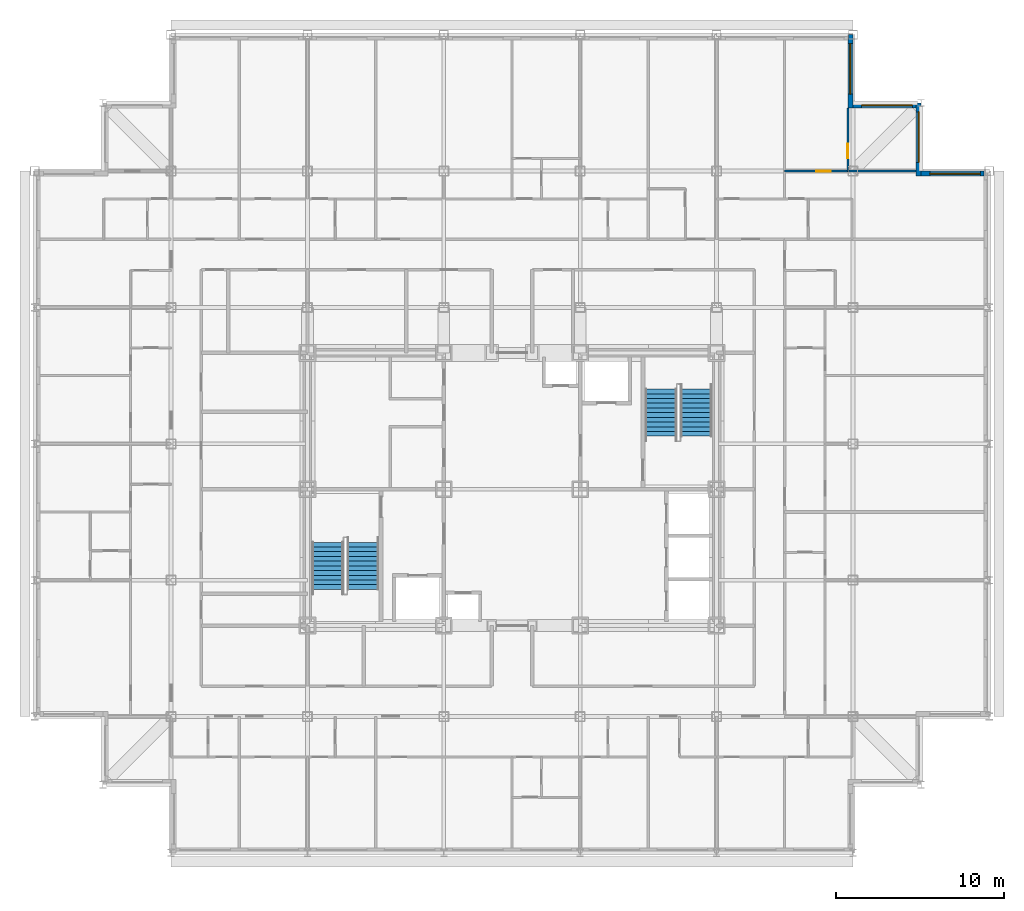
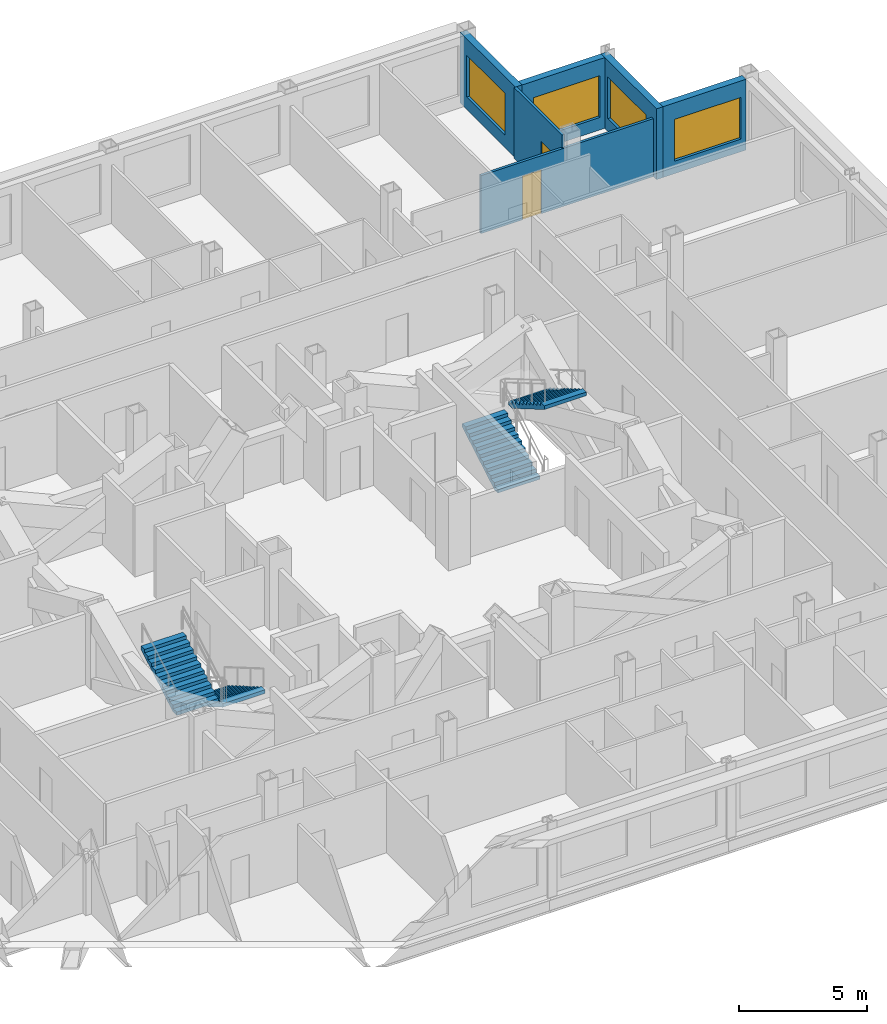
# One storey, part 11 of 12: 6 walls, 4 stair flights, 4 windows, 2 doors, 6 openings, 2 elements without a shape of their own.
"""IFC4 building model written with IfcOpenShell, lengths in metres."""

from ifc_helpers import new_model, si_unit, direction, frame, frame_2d, origin, place, context, subcontext, project, spatial, rectangle, extrude, polygons, source, transform, mapped, material, layer, layer_set, type_object, element, fill, aggregate, save


model = new_model("IFC4")

# Units and contexts
model_context = context("Model", 3, precision=1e-05, world=origin(), true_north=direction((0.0, 1.0)))
body_context = subcontext(model_context, "Body", "Model", "MODEL_VIEW")
ifc_project = project(units=[si_unit("LENGTHUNIT", "METRE"), si_unit("AREAUNIT", "SQUARE_METRE"), si_unit("VOLUMEUNIT", "CUBIC_METRE"), si_unit("PLANEANGLEUNIT", "RADIAN"), si_unit("MASSUNIT", "GRAM", prefix="KILO")], contexts=[model_context])

# Site, building, storey
site_placement = place(None, origin())
site = spatial("IfcSite", under=ifc_project, at=site_placement, CompositionType="ELEMENT")
building_placement = place(site_placement, origin())
building = spatial("IfcBuilding", under=site, at=building_placement, Name="Kopane Lantern Tower", CompositionType="ELEMENT")
storey_placement = place(building_placement, frame((0.0, 0.0, 206.39990234375)))
storey = spatial("IfcBuildingStorey", under=building, at=storey_placement, Name="L53", CompositionType="ELEMENT", Elevation=206.39990234375)

# Wall, opening, door
ifc_material_1 = material(Name="Gypsum board on steel studs", Category="steel")
ifc_layer_1 = layer(ifc_material_1, 0.1201171875)
ifc_layer_set_1 = layer_set([ifc_layer_1], Name="APARTMENT INTERNAL WALL 120")
wall_type_1 = type_object("IfcWallType", Name="APARTMENT INTERNAL WALL 120", PredefinedType="PARTITIONING", material=ifc_layer_set_1)
wall_1_placement = place(storey_placement, frame((44.550048828125, 51.300048828125, 0.0), z_axis=(0.0, 0.0, 1.0), x_axis=(1.0, 0.0, 0.0)))
wall_1 = element("IfcWall", 1, at=wall_1_placement, inside=storey, type_object=wall_type_1, Name="Apartment Internal Wall 120 L53", PredefinedType="PARTITIONING", context=body_context, shape_type="SweptSolid", body=[
    extrude(rectangle(XDim=7.800048828125, YDim=0.1201171875, at=frame_2d((3.89990234375, 0.0))), origin(), (0.0, 0.0, 1.0), 2.77783203125),
])
opening_1_placement = place(wall_1_placement, frame((1.875, 0.0, 0.0)))
opening_1 = element("IfcOpeningElement", 2, at=opening_1_placement, cuts=wall_1, Name="Opening L53-074", PredefinedType="OPENING", context=body_context, shape_type="SweptSolid", body=[
    extrude(rectangle(XDim=0.85009765625, YDim=2.10009765625, at=frame_2d((0.425048828125, 1.050048828125))), frame((0.0, 0.070068359375, 0.0), z_axis=(0.0, -1.0, 0.0), x_axis=(1.0, 0.0, 0.0)), (0.0, 0.0, 1.0), 0.14013671875),
])
ifc_material_2 = material(Name="Timber door set", Category="wood")
door_type = type_object("IfcDoorType", Name="DOOR D4 850x2100", OperationType="SINGLE_SWING_LEFT", PredefinedType="DOOR", material=ifc_material_2)
door_1_placement = place(opening_1_placement, origin())
door_1 = element("IfcDoor", 3, at=door_1_placement, inside=storey, type_object=door_type, Name="Door L53-074", OperationType="SINGLE_SWING_RIGHT", OverallHeight=2.10009765625, OverallWidth=0.85009765625, PredefinedType="DOOR", context=body_context, shape_type="SweptSolid", body=[
    extrude(rectangle(XDim=0.85009765625, YDim=2.10009765625, at=frame_2d((0.425048828125, 1.050048828125))), frame((0.0, 0.02490234375, 0.0), z_axis=(0.0, -1.0, 0.0), x_axis=(1.0, 0.0, 0.0)), (0.0, 0.0, 1.0), 0.050048828125),
])
fill(opening_1, door_1)

wall_2_placement = place(storey_placement, frame((48.300048828125, 51.300048828125, 0.0), z_axis=(0.0, 0.0, 1.0), x_axis=(0.0, 1.0, 0.0)))
wall_2 = element("IfcWall", 4, at=wall_2_placement, inside=storey, type_object=wall_type_1, Name="Apartment Internal Wall 120 L53", PredefinedType="PARTITIONING", context=body_context, shape_type="SweptSolid", body=[
    extrude(rectangle(XDim=3.75, YDim=0.1201171875, at=frame_2d((1.875, 0.0))), origin(), (0.0, 0.0, 1.0), 3.39013671875),
])
opening_2_placement = place(wall_2_placement, frame((0.77490234375, 0.0, 0.0)))
opening_2 = element("IfcOpeningElement", 5, at=opening_2_placement, cuts=wall_2, Name="Opening L53-083", PredefinedType="OPENING", context=body_context, shape_type="SweptSolid", body=[
    extrude(rectangle(XDim=0.85009765625, YDim=2.10009765625, at=frame_2d((0.425048828125, 1.050048828125))), frame((0.0, 0.070068359375, 0.0), z_axis=(0.0, -1.0, 0.0), x_axis=(1.0, 0.0, 0.0)), (0.0, 0.0, 1.0), 0.14013671875),
])
door_2_placement = place(opening_2_placement, origin())
door_2 = element("IfcDoor", 6, at=door_2_placement, inside=storey, type_object=door_type, Name="Door L53-083", OperationType="SINGLE_SWING_RIGHT", OverallHeight=2.10009765625, OverallWidth=0.85009765625, PredefinedType="DOOR", context=body_context, shape_type="SweptSolid", body=[
    extrude(rectangle(XDim=0.85009765625, YDim=2.10009765625, at=frame_2d((0.425048828125, 1.050048828125))), frame((0.0, 0.02490234375, 0.0), z_axis=(0.0, -1.0, 0.0), x_axis=(1.0, 0.0, 0.0)), (0.0, 0.0, 1.0), 0.050048828125),
])
fill(opening_2, door_2)

# Wall, opening, window
ifc_material_3 = material(Name="Terracotta rainscreen on light steel framing", Category="masonry")
ifc_layer_2 = layer(ifc_material_3, 0.300048828125)
ifc_layer_set_2 = layer_set([ifc_layer_2], Name="EXTERNAL WALL EW1 300 TERRACOTTA")
wall_type_2 = type_object("IfcWallType", Name="EXTERNAL WALL EW1 300 TERRACOTTA", PredefinedType="SOLIDWALL", material=ifc_layer_set_2)
wall_3_placement = place(storey_placement, frame((56.39990234375, 51.14990234375, 0.0), z_axis=(0.0, 0.0, 1.0), x_axis=(-1.0, 0.0, 0.0)))
wall_3 = element("IfcWall", 7, at=wall_3_placement, inside=storey, type_object=wall_type_2, Name="External wall N L53", PredefinedType="SOLIDWALL", context=body_context, shape_type="SweptSolid", body=[
    extrude(rectangle(XDim=3.75, YDim=0.300048828125, at=frame_2d((1.875, 0.0))), origin(), (0.0, 0.0, 1.0), 3.39013671875),
])
opening_3_placement = place(wall_3_placement, frame((0.22509765625, 0.0, 0.60009765625)))
opening_3 = element("IfcOpeningElement", 8, at=opening_3_placement, cuts=wall_3, Name="Opening WR300200", PredefinedType="OPENING", context=body_context, shape_type="SweptSolid", body=[
    extrude(rectangle(XDim=3.0, YDim=2.0, at=frame_2d((1.5, 1.0))), frame((0.0, 0.159912109375, 0.0), z_axis=(0.0, -1.0, 0.0), x_axis=(1.0, 0.0, 0.0)), (0.0, 0.0, 1.0), 0.320068359375),
])
ifc_material_4 = material(Name="Aluminium and clear glass", Category="aluminium")
window_type = type_object("IfcWindowType", Name="RIBBON WINDOW WR300200 3000x2000", PartitioningType="SINGLE_PANEL", PredefinedType="WINDOW", material=ifc_material_4)
window_1_placement = place(opening_3_placement, origin())
window_1 = element("IfcWindow", 9, at=window_1_placement, inside=storey, type_object=window_type, Name="Window N L53", OverallHeight=2.0, OverallWidth=3.0, PartitioningType="SINGLE_PANEL", PredefinedType="WINDOW", context=body_context, shape_type="SweptSolid", body=[
    extrude(rectangle(XDim=3.0, YDim=2.0, at=frame_2d((1.5, 1.0))), frame((0.0, 0.030029296875, 0.0), z_axis=(0.0, -1.0, 0.0), x_axis=(1.0, 0.0, 0.0)), (0.0, 0.0, 1.0), 0.06005859375),
])
fill(opening_3, window_1)

wall_4_placement = place(storey_placement, frame((52.5, 51.0, 0.0), z_axis=(0.0, 0.0, 1.0), x_axis=(0.0, 1.0, 0.0)))
wall_4 = element("IfcWall", 10, at=wall_4_placement, inside=storey, type_object=wall_type_2, Name="External wall E L53", PredefinedType="SOLIDWALL", context=body_context, shape_type="SweptSolid", body=[
    extrude(rectangle(XDim=4.35009765625, YDim=0.300048828125, at=frame_2d((2.175048828125, 0.0))), origin(), (0.0, 0.0, 1.0), 3.39013671875),
])
opening_4_placement = place(wall_4_placement, frame((0.824951171875, 0.0, 0.60009765625)))
opening_4 = element("IfcOpeningElement", 11, at=opening_4_placement, cuts=wall_4, Name="Opening WR300200", PredefinedType="OPENING", context=body_context, shape_type="SweptSolid", body=[
    extrude(rectangle(XDim=3.0, YDim=2.0, at=frame_2d((1.5, 1.0))), frame((0.0, 0.159912109375, 0.0), z_axis=(0.0, -1.0, 0.0), x_axis=(1.0, 0.0, 0.0)), (0.0, 0.0, 1.0), 0.320068359375),
])
window_2_placement = place(opening_4_placement, origin())
window_2 = element("IfcWindow", 12, at=window_2_placement, inside=storey, type_object=window_type, Name="Window E L53", OverallHeight=2.0, OverallWidth=3.0, PartitioningType="SINGLE_PANEL", PredefinedType="WINDOW", context=body_context, shape_type="SweptSolid", body=[
    extrude(rectangle(XDim=3.0, YDim=2.0, at=frame_2d((1.5, 1.0))), frame((0.0, 0.030029296875, 0.0), z_axis=(0.0, -1.0, 0.0), x_axis=(1.0, 0.0, 0.0)), (0.0, 0.0, 1.0), 0.06005859375),
])
fill(opening_4, window_2)

wall_5_placement = place(storey_placement, frame((52.35009765625, 55.199951171875, 0.0), z_axis=(0.0, 0.0, 1.0), x_axis=(-1.0, 0.0, 0.0)))
wall_5 = element("IfcWall", 13, at=wall_5_placement, inside=storey, type_object=wall_type_2, Name="External wall N L53", PredefinedType="SOLIDWALL", context=body_context, shape_type="SweptSolid", body=[
    extrude(rectangle(XDim=3.75, YDim=0.300048828125, at=frame_2d((1.875, 0.0))), origin(), (0.0, 0.0, 1.0), 3.39013671875),
])
opening_5_placement = place(wall_5_placement, frame((0.22509765625, 0.0, 0.60009765625)))
opening_5 = element("IfcOpeningElement", 14, at=opening_5_placement, cuts=wall_5, Name="Opening WR300200", PredefinedType="OPENING", context=body_context, shape_type="SweptSolid", body=[
    extrude(rectangle(XDim=3.0, YDim=2.0, at=frame_2d((1.5, 1.0))), frame((0.0, 0.159912109375, 0.0), z_axis=(0.0, -1.0, 0.0), x_axis=(1.0, 0.0, 0.0)), (0.0, 0.0, 1.0), 0.320068359375),
])
window_3_placement = place(opening_5_placement, origin())
window_3 = element("IfcWindow", 15, at=window_3_placement, inside=storey, type_object=window_type, Name="Window N L53", OverallHeight=2.0, OverallWidth=3.0, PartitioningType="SINGLE_PANEL", PredefinedType="WINDOW", context=body_context, shape_type="SweptSolid", body=[
    extrude(rectangle(XDim=3.0, YDim=2.0, at=frame_2d((1.5, 1.0))), frame((0.0, 0.030029296875, 0.0), z_axis=(0.0, -1.0, 0.0), x_axis=(1.0, 0.0, 0.0)), (0.0, 0.0, 1.0), 0.06005859375),
])
fill(opening_5, window_3)

wall_6_placement = place(storey_placement, frame((48.449951171875, 55.050048828125, 0.0), z_axis=(0.0, 0.0, 1.0), x_axis=(0.0, 1.0, 0.0)))
wall_6 = element("IfcWall", 16, at=wall_6_placement, inside=storey, type_object=wall_type_2, Name="External wall E L53", PredefinedType="SOLIDWALL", context=body_context, shape_type="SweptSolid", body=[
    extrude(rectangle(XDim=4.349853515625, YDim=0.300048828125, at=frame_2d((2.1748046875, 0.0))), origin(), (0.0, 0.0, 1.0), 3.39013671875),
])
opening_6_placement = place(wall_6_placement, frame((0.824951171875, 0.0, 0.60009765625)))
opening_6 = element("IfcOpeningElement", 17, at=opening_6_placement, cuts=wall_6, Name="Opening WR300200", PredefinedType="OPENING", context=body_context, shape_type="SweptSolid", body=[
    extrude(rectangle(XDim=3.0, YDim=2.0, at=frame_2d((1.5, 1.0))), frame((0.0, 0.159912109375, 0.0), z_axis=(0.0, -1.0, 0.0), x_axis=(1.0, 0.0, 0.0)), (0.0, 0.0, 1.0), 0.320068359375),
])
window_4_placement = place(opening_6_placement, origin())
window_4 = element("IfcWindow", 18, at=window_4_placement, inside=storey, type_object=window_type, Name="Window E L53", OverallHeight=2.0, OverallWidth=3.0, PartitioningType="SINGLE_PANEL", PredefinedType="WINDOW", context=body_context, shape_type="SweptSolid", body=[
    extrude(rectangle(XDim=3.0, YDim=2.0, at=frame_2d((1.5, 1.0))), frame((0.0, 0.030029296875, 0.0), z_axis=(0.0, -1.0, 0.0), x_axis=(1.0, 0.0, 0.0)), (0.0, 0.0, 1.0), 0.06005859375),
])
fill(opening_6, window_4)

# Stair, stair flights
ifc_material_5 = material(Name="Steel S355JR", Category="steel")
stair_type = type_object("IfcStairType", Name="EXIT STAIR 1900 HALF TURN", PredefinedType="HALF_TURN_STAIR", material=ifc_material_5)
stair_1_placement = place(storey_placement, origin())
stair_1 = element("IfcStair", 19, at=stair_1_placement, inside=storey, type_object=stair_type, Name="Exit stair ST1 L53", PredefinedType="HALF_TURN_STAIR")
ifc_material_6 = material(Name="Steel S355JR", Category="steel")
stair_flight_type = type_object("IfcStairFlightType", Name="STAIR FLIGHT 1900 STEEL", PredefinedType="STRAIGHT", material=ifc_material_6)
shared_shape = source(origin(), body_context, "Body", "Tessellation", [
    polygons([(2.800048828, 0.949951172, 1.636474609), (2.520019531, 0.949951172, 1.636474609), (2.520019531, -0.949951172, 1.636474609), (2.800048828, -0.949951172, 1.636474609), (0.297119141, 0.949951172, 0.0), (2.800048828, 0.949951172, 1.462646484), (2.800048828, -0.949951172, 1.462646484), (0.297119141, -0.949951172, 0.0), (0.0, 0.949951172, 0.0), (0.0, -0.949951172, 0.0), (0.280029297, 0.949951172, 0.163574219), (0.0, 0.949951172, 0.163574219), (0.0, -0.949951172, 0.163574219), (0.280029297, -0.949951172, 0.163574219), (0.280029297, 0.949951172, 0.327392578), (0.280029297, -0.949951172, 0.327392578), (0.560058594, 0.949951172, 0.327392578), (0.560058594, -0.949951172, 0.327392578), (0.560058594, 0.949951172, 0.490966797), (0.560058594, -0.949951172, 0.490966797), (0.840087891, 0.949951172, 0.490966797), (0.840087891, -0.949951172, 0.490966797), (0.840087891, 0.949951172, 0.654541016), (0.840087891, -0.949951172, 0.654541016), (1.120117188, 0.949951172, 0.654541016), (1.120117188, -0.949951172, 0.654541016), (1.120117188, 0.949951172, 0.818115234), (1.120117188, -0.949951172, 0.818115234), (1.399902344, 0.949951172, 0.818115234), (1.399902344, -0.949951172, 0.818115234), (1.399902344, 0.949951172, 0.981933594), (1.399902344, -0.949951172, 0.981933594), (1.679931641, 0.949951172, 0.981933594), (1.679931641, -0.949951172, 0.981933594), (1.679931641, 0.949951172, 1.145507812), (1.679931641, -0.949951172, 1.145507812), (1.959960938, 0.949951172, 1.145507812), (1.959960938, -0.949951172, 1.145507812), (1.959960938, 0.949951172, 1.309082031), (1.959960938, -0.949951172, 1.309082031), (2.239990234, 0.949951172, 1.309082031), (2.239990234, -0.949951172, 1.309082031), (2.239990234, 0.949951172, 1.47265625), (2.239990234, -0.949951172, 1.47265625), (2.520019531, 0.949951172, 1.47265625), (2.520019531, -0.949951172, 1.47265625), (0.0, 0.0, 0.004420925), (0.0, 0.0, 0.00884185), (0.0, 0.0, 0.013262774), (0.0, 0.0, 0.017683699), (0.0, 0.0, 0.022104624), (0.0, 0.0, 0.026525549), (0.0, 0.0, 0.030946474), (0.0, 0.0, 0.035367399), (0.0, 0.0, 0.039788323), (0.0, 0.0, 0.044209248), (0.0, 0.0, 0.048630173), (0.0, 0.0, 0.053051098), (0.0, 0.0, 0.057472023), (0.0, 0.0, 0.061892948), (0.0, 0.0, 0.066313872), (0.0, 0.0, 0.070734797), (0.0, 0.0, 0.075155722), (0.0, 0.0, 0.079576647), (0.0, 0.0, 0.083997572), (0.0, 0.0, 0.088418497), (0.0, 0.0, 0.092839421), (0.0, 0.0, 0.097260346), (0.0, 0.0, 0.101681271), (0.0, 0.0, 0.106102196), (0.0, 0.0, 0.110523121), (0.0, 0.0, 0.114944046), (0.0, 0.0, 0.11936497), (0.0, 0.0, 0.123785895), (0.0, 0.0, 0.12820682), (0.0, 0.0, 0.132627745), (0.0, 0.0, 0.13704867), (0.0, 0.0, 0.141469595), (0.0, 0.0, 0.145890519), (0.0, 0.0, 0.150311444), (0.0, 0.0, 0.154732369), (0.0, 0.0, 0.159153294), (2.800048828, 0.0, 1.467344542), (2.800048828, 0.0, 1.472042599), (2.800048828, 0.0, 1.476740657), (2.800048828, 0.0, 1.481438714), (2.800048828, 0.0, 1.486136772), (2.800048828, 0.0, 1.490834829), (2.800048828, 0.0, 1.495532886), (2.800048828, 0.0, 1.500230944), (2.800048828, 0.0, 1.504929001), (2.800048828, 0.0, 1.509627059), (2.800048828, 0.0, 1.514325116), (2.800048828, 0.0, 1.519023174), (2.800048828, 0.0, 1.523721231), (2.800048828, 0.0, 1.528419288), (2.800048828, 0.0, 1.533117346), (2.800048828, 0.0, 1.537815403), (2.800048828, 0.0, 1.542513461), (2.800048828, 0.0, 1.547211518), (2.800048828, 0.0, 1.551909576), (2.800048828, 0.0, 1.556607633), (2.800048828, 0.0, 1.56130569), (2.800048828, 0.0, 1.566003748), (2.800048828, 0.0, 1.570701805), (2.800048828, 0.0, 1.575399863), (2.800048828, 0.0, 1.58009792), (2.800048828, 0.0, 1.584795978), (2.800048828, 0.0, 1.589494035), (2.800048828, 0.0, 1.594192092), (2.800048828, 0.0, 1.59889015), (2.800048828, 0.0, 1.603588207), (2.800048828, 0.0, 1.608286265), (2.800048828, 0.0, 1.612984322), (2.800048828, 0.0, 1.61768238), (2.800048828, 0.0, 1.622380437), (2.800048828, 0.0, 1.627078495), (2.800048828, 0.0, 1.631776552)], [[[1, 2, 3]], [[1, 3, 4]], [[5, 6, 7]], [[5, 7, 8]], [[9, 5, 8]], [[9, 8, 10]], [[11, 12, 13]], [[11, 13, 14]], [[15, 11, 14]], [[15, 14, 16]], [[17, 15, 16]], [[17, 16, 18]], [[19, 17, 18]], [[19, 18, 20]], [[21, 19, 20]], [[21, 20, 22]], [[23, 21, 22]], [[23, 22, 24]], [[25, 23, 24]], [[25, 24, 26]], [[27, 25, 26]], [[27, 26, 28]], [[29, 27, 28]], [[29, 28, 30]], [[31, 29, 30]], [[31, 30, 32]], [[33, 31, 32]], [[33, 32, 34]], [[35, 33, 34]], [[35, 34, 36]], [[37, 35, 36]], [[37, 36, 38]], [[39, 37, 38]], [[39, 38, 40]], [[41, 39, 40]], [[41, 40, 42]], [[43, 41, 42]], [[43, 42, 44]], [[45, 43, 44]], [[45, 44, 46]], [[2, 45, 46]], [[2, 46, 3]], [[45, 1, 6]], [[41, 45, 6]], [[2, 1, 45]], [[37, 41, 6]], [[43, 45, 41]], [[39, 41, 37]], [[35, 37, 33]], [[31, 33, 29]], [[27, 29, 25]], [[5, 21, 25]], [[17, 21, 5]], [[23, 25, 21]], [[11, 17, 5]], [[19, 21, 17]], [[9, 11, 5]], [[15, 17, 11]], [[12, 11, 9]], [[6, 5, 25]], [[6, 25, 29]], [[6, 29, 33]], [[6, 33, 37]], [[7, 4, 46]], [[7, 46, 42]], [[46, 4, 3]], [[7, 42, 38]], [[42, 46, 44]], [[38, 42, 40]], [[34, 38, 36]], [[30, 34, 32]], [[26, 30, 28]], [[26, 22, 8]], [[8, 22, 18]], [[22, 26, 24]], [[8, 18, 14]], [[18, 22, 20]], [[8, 14, 10]], [[14, 18, 16]], [[10, 14, 13]], [[26, 8, 7]], [[30, 26, 7]], [[34, 30, 7]], [[38, 34, 7]], [[10, 47, 9]], [[10, 48, 47]], [[9, 47, 48]], [[10, 49, 48]], [[9, 48, 49]], [[10, 50, 49]], [[9, 49, 50]], [[10, 51, 50]], [[9, 50, 51]], [[10, 52, 51]], [[9, 51, 52]], [[10, 53, 52]], [[9, 52, 53]], [[10, 54, 53]], [[9, 53, 54]], [[10, 55, 54]], [[9, 54, 55]], [[10, 56, 55]], [[9, 55, 56]], [[10, 57, 56]], [[9, 56, 57]], [[10, 58, 57]], [[9, 57, 58]], [[10, 59, 58]], [[9, 58, 59]], [[10, 60, 59]], [[9, 59, 60]], [[10, 61, 60]], [[9, 60, 61]], [[10, 62, 61]], [[9, 61, 62]], [[10, 63, 62]], [[9, 62, 63]], [[10, 64, 63]], [[9, 63, 64]], [[10, 65, 64]], [[9, 64, 65]], [[10, 66, 65]], [[9, 65, 66]], [[10, 67, 66]], [[9, 66, 67]], [[10, 68, 67]], [[9, 67, 68]], [[10, 69, 68]], [[9, 68, 69]], [[10, 70, 69]], [[9, 69, 70]], [[10, 71, 70]], [[9, 70, 71]], [[10, 72, 71]], [[9, 71, 72]], [[10, 73, 72]], [[9, 72, 73]], [[10, 74, 73]], [[9, 73, 74]], [[10, 75, 74]], [[9, 74, 75]], [[10, 76, 75]], [[9, 75, 76]], [[10, 77, 76]], [[9, 76, 77]], [[10, 78, 77]], [[9, 77, 78]], [[10, 79, 78]], [[9, 78, 79]], [[10, 80, 79]], [[9, 79, 80]], [[10, 81, 80]], [[9, 80, 81]], [[10, 82, 81]], [[9, 81, 82]], [[10, 13, 82]], [[82, 13, 12]], [[9, 82, 12]], [[7, 6, 83]], [[7, 83, 84]], [[6, 84, 83]], [[7, 84, 85]], [[6, 85, 84]], [[7, 85, 86]], [[6, 86, 85]], [[7, 86, 87]], [[6, 87, 86]], [[7, 87, 88]], [[6, 88, 87]], [[7, 88, 89]], [[6, 89, 88]], [[7, 89, 90]], [[6, 90, 89]], [[7, 90, 91]], [[6, 91, 90]], [[7, 91, 92]], [[6, 92, 91]], [[7, 92, 93]], [[6, 93, 92]], [[7, 93, 94]], [[6, 94, 93]], [[7, 94, 95]], [[6, 95, 94]], [[7, 95, 96]], [[6, 96, 95]], [[7, 96, 97]], [[6, 97, 96]], [[7, 97, 98]], [[6, 98, 97]], [[7, 98, 99]], [[6, 99, 98]], [[7, 99, 100]], [[6, 100, 99]], [[7, 100, 101]], [[6, 101, 100]], [[7, 101, 102]], [[6, 102, 101]], [[7, 102, 103]], [[6, 103, 102]], [[7, 103, 104]], [[6, 104, 103]], [[7, 104, 105]], [[6, 105, 104]], [[7, 105, 106]], [[6, 106, 105]], [[7, 106, 107]], [[6, 107, 106]], [[7, 107, 108]], [[6, 108, 107]], [[7, 108, 109]], [[6, 109, 108]], [[7, 109, 110]], [[6, 110, 109]], [[7, 110, 111]], [[6, 111, 110]], [[7, 111, 112]], [[6, 112, 111]], [[7, 112, 113]], [[6, 113, 112]], [[7, 113, 114]], [[6, 114, 113]], [[7, 114, 115]], [[6, 115, 114]], [[7, 115, 116]], [[6, 116, 115]], [[7, 116, 117]], [[6, 117, 116]], [[7, 117, 118]], [[6, 118, 117]], [[7, 118, 4]], [[118, 1, 4]], [[6, 1, 118]]], closed=True),
])
stair_flight_1_placement = place(storey_placement, frame((19.5, 29.25, 0.0), z_axis=(0.0, 0.0, 1.0), x_axis=(0.0, -1.0, 0.0)))
stair_flight_1 = element("IfcStairFlight", 20, at=stair_flight_1_placement, type_object=stair_flight_type, Name="ST1 flight 1", NumberOfRisers=11, NumberOfTreads=10, PredefinedType="STRAIGHT", RiserHeight=0.163636364, TreadLength=0.28, context=body_context, shape_type="MappedRepresentation", body=[
    mapped(shared_shape, transform((0.0, 0.0, 0.0))),
])
stair_flight_2_placement = place(storey_placement, frame((17.39990234375, 26.449951171875, 1.800048828125), z_axis=(0.0, 0.0, 1.0), x_axis=(0.0, 1.0, 0.0)))
stair_flight_2 = element("IfcStairFlight", 21, at=stair_flight_2_placement, type_object=stair_flight_type, Name="ST1 flight 2", NumberOfRisers=11, NumberOfTreads=10, PredefinedType="STRAIGHT", RiserHeight=0.163636364, TreadLength=0.28, context=body_context, shape_type="MappedRepresentation", body=[
    mapped(shared_shape, transform((0.0, 0.0, 0.0))),
])
aggregate(stair_1, [stair_flight_1, stair_flight_2])

stair_2_placement = place(storey_placement, origin())
stair_2 = element("IfcStair", 22, at=stair_2_placement, inside=storey, type_object=stair_type, Name="Exit stair ST2 L53", PredefinedType="HALF_TURN_STAIR")
stair_flight_3_placement = place(storey_placement, frame((37.199951171875, 35.550048828125, 0.0), z_axis=(0.0, 0.0, 1.0), x_axis=(0.0, 1.0, 0.0)))
stair_flight_3 = element("IfcStairFlight", 23, at=stair_flight_3_placement, type_object=stair_flight_type, Name="ST2 flight 1", NumberOfRisers=11, NumberOfTreads=10, PredefinedType="STRAIGHT", RiserHeight=0.163636364, TreadLength=0.28, context=body_context, shape_type="MappedRepresentation", body=[
    mapped(shared_shape, transform((0.0, 0.0, 0.0))),
])
stair_flight_4_placement = place(storey_placement, frame((39.300048828125, 38.35009765625, 1.800048828125), z_axis=(0.0, 0.0, 1.0), x_axis=(0.0, -1.0, 0.0)))
stair_flight_4 = element("IfcStairFlight", 24, at=stair_flight_4_placement, type_object=stair_flight_type, Name="ST2 flight 2", NumberOfRisers=11, NumberOfTreads=10, PredefinedType="STRAIGHT", RiserHeight=0.163636364, TreadLength=0.28, context=body_context, shape_type="MappedRepresentation", body=[
    mapped(shared_shape, transform((0.0, 0.0, 0.0))),
])
aggregate(stair_2, [stair_flight_3, stair_flight_4])

save(model, "model.ifc")
